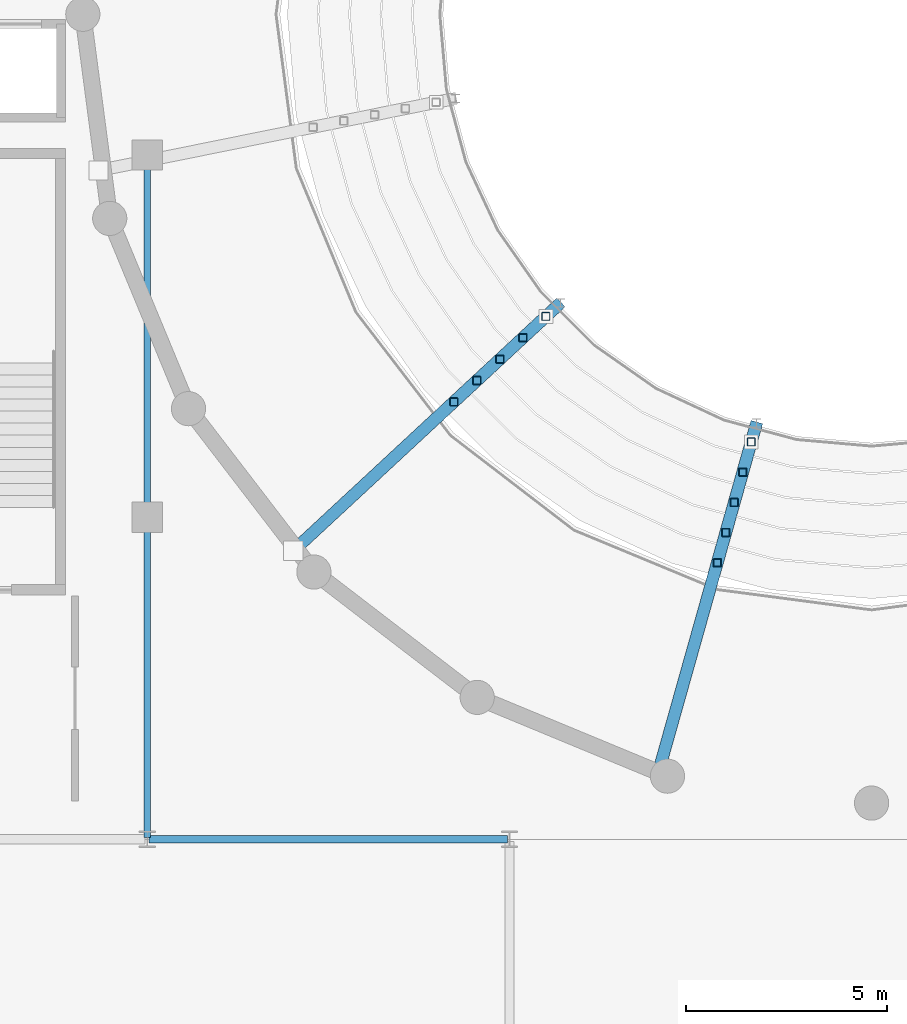
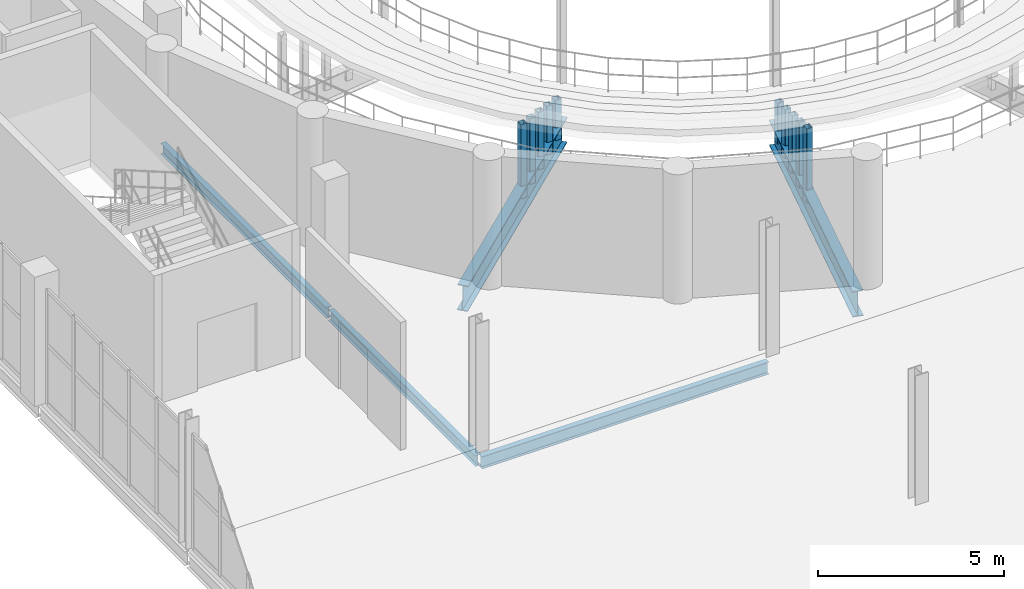
# One storey, part 31 of 85: 10 members, 5 beams.
"""IFC4 building model written with IfcOpenShell, lengths in metres."""

from ifc_helpers import new_model, si_unit, direction, frame, origin, origin_2d, place, context, subcontext, project, spatial, hollow_rectangle, i_section, extrude, material, material_profile, profile_set, type_object, element, save


model = new_model("IFC4")

# Units and contexts
model_context = context("Model", 3, precision=1e-05, world=origin(), true_north=direction((0.0, 1.0)))
body_context = subcontext(model_context, "Body", "Model", "MODEL_VIEW")
ifc_project = project(units=[si_unit("LENGTHUNIT", "METRE"), si_unit("AREAUNIT", "SQUARE_METRE"), si_unit("VOLUMEUNIT", "CUBIC_METRE"), si_unit("PLANEANGLEUNIT", "RADIAN"), si_unit("MASSUNIT", "GRAM", prefix="KILO")], contexts=[model_context])

# Site, building, storey
site_placement = place(None, origin())
site = spatial("IfcSite", under=ifc_project, at=site_placement, CompositionType="ELEMENT")
building_placement = place(site_placement, origin())
building = spatial("IfcBuilding", under=site, at=building_placement, Name="Marnock Terrace Opera House", CompositionType="ELEMENT")
storey_placement = place(building_placement, frame((0.0, 0.0, 10.199951171875)))
storey = spatial("IfcBuildingStorey", under=building, at=storey_placement, Name="L02", CompositionType="ELEMENT", Elevation=10.199951171875)

# Beams
ifc_material_1 = material(Name="Steel Grade 350 (AS/NZS 3679.1)", Category="steel")
ifc_material_profile_1 = material_profile(ifc_material_1, i_section(OverallWidth=0.1708984375, OverallDepth=0.355712890625, WebThickness=0.00732421875, FlangeThickness=0.011474609375, FilletRadius=0.011474609375, at=origin_2d()))
ifc_profile_set_1 = profile_set([ifc_material_profile_1], Name="Steel Grade 350 (AS/NZS 3679.1)")
beam_type_1 = type_object("IfcBeamType", Name="BM-GIRD-360", PredefinedType="BEAM", material=ifc_profile_set_1)
beam_1_placement = place(storey_placement, frame((64.0, 40.050048828125, -0.437744140625), z_axis=(0.0, 1.0, 0.0), x_axis=(-1.0, 0.0, 0.0)))
element("IfcBeam", 1, at=beam_1_placement, inside=storey, type_object=beam_type_1, Name="L02 girder (X=64.0, 40.0..48.0)", PredefinedType="BEAM", context=body_context, shape_type="SweptSolid", body=[
    extrude(i_section(OverallWidth=0.1708984375, OverallDepth=0.355712890625, WebThickness=0.00732421875, FlangeThickness=0.011474609375, FilletRadius=0.011474609375, at=origin_2d()), origin(), (0.0, 0.0, 1.0), 7.89990234375),
])
beam_2_placement = place(storey_placement, frame((64.0, 48.050048828125, -0.437744140625), z_axis=(0.0, 1.0, 0.0), x_axis=(-1.0, 0.0, 0.0)))
element("IfcBeam", 2, at=beam_2_placement, inside=storey, type_object=beam_type_1, Name="L02 girder (X=64.0, 48.0..57.0)", PredefinedType="BEAM", context=body_context, shape_type="SweptSolid", body=[
    extrude(i_section(OverallWidth=0.1708984375, OverallDepth=0.355712890625, WebThickness=0.00732421875, FlangeThickness=0.011474609375, FilletRadius=0.011474609375, at=origin_2d()), origin(), (0.0, 0.0, 1.0), 8.89990234375),
])
ifc_material_profile_2 = material_profile(ifc_material_1, i_section(OverallWidth=0.177978515625, OverallDepth=0.402587890625, WebThickness=0.007568359375, FlangeThickness=0.010986328125, FilletRadius=0.011474609375, at=origin_2d()))
ifc_profile_set_2 = profile_set([ifc_material_profile_2], Name="Steel Grade 350 (AS/NZS 3679.1)")
beam_type_2 = type_object("IfcBeamType", Name="BM-GIRD-410", PredefinedType="BEAM", material=ifc_profile_set_2)
beam_3_placement = place(storey_placement, frame((64.050048828125, 40.0, -0.461181640625), z_axis=(1.0, 0.0, 0.0), x_axis=(0.0, 1.0, 0.0)))
element("IfcBeam", 3, at=beam_3_placement, inside=storey, type_object=beam_type_2, Name="L02 girder (64.0..73.0, Y=40.0)", PredefinedType="BEAM", context=body_context, shape_type="SweptSolid", body=[
    extrude(i_section(OverallWidth=0.177978515625, OverallDepth=0.402587890625, WebThickness=0.007568359375, FlangeThickness=0.010986328125, FilletRadius=0.011474609375, at=origin_2d()), origin(), (0.0, 0.0, 1.0), 8.89990234375),
])
ifc_material_2 = material(Name="Steel Grade 350 Welded (AS/NZS 3679.2)", Category="steel")
ifc_material_profile_3 = material_profile(ifc_material_2, i_section(OverallWidth=0.300048828125, OverallDepth=0.81591796875, WebThickness=0.013916015625, FlangeThickness=0.028076171875, at=origin_2d()))
ifc_profile_set_3 = profile_set([ifc_material_profile_3], Name="Steel Grade 350 Welded (AS/NZS 3679.2)")
beam_type_3 = type_object("IfcBeamType", Name="BM-RAKER-800", PredefinedType="BEAM", material=ifc_profile_set_3)
beam_4_placement = place(storey_placement, frame((74.266357421875, 53.32421875, -1.218017578125), z_axis=(-0.73190120059, -0.679083865845, 0.056264871128), x_axis=(0.68016132476, -0.733062461391, 0.0)))
element("IfcBeam", 4, at=beam_4_placement, inside=storey, type_object=beam_type_3, Name="L02 Auditorium raker girder 3", PredefinedType="BEAM", context=body_context, shape_type="SweptSolid", body=[
    extrude(i_section(OverallWidth=0.300048828125, OverallDepth=0.81591796875, WebThickness=0.013916015625, FlangeThickness=0.028076171875, at=origin_2d()), origin(), (0.0, 0.0, 1.0), 9.064453125),
])
beam_5_placement = place(storey_placement, frame((79.142578125, 50.34423828125, -1.218017578125), z_axis=(-0.270420407323, -0.961096752439, 0.056265760049), x_axis=(0.962621711454, -0.270849479668, 0.0)))
element("IfcBeam", 5, at=beam_5_placement, inside=storey, type_object=beam_type_3, Name="L02 Auditorium raker girder 4", PredefinedType="BEAM", context=body_context, shape_type="SweptSolid", body=[
    extrude(i_section(OverallWidth=0.300048828125, OverallDepth=0.81591796875, WebThickness=0.013916015625, FlangeThickness=0.028076171875, at=origin_2d()), origin(), (0.0, 0.0, 1.0), 9.064208984375),
])

# Members
ifc_material_3 = material(Name="Cold-formed Steel Grade C350L0 (AS/NZS 1163)", Category="steel")
ifc_material_profile_4 = material_profile(ifc_material_3, hollow_rectangle(XDim=0.199951171875, YDim=0.199951171875, WallThickness=0.009033203125, InnerFilletRadius=0.009033203125, OuterFilletRadius=0.01806640625, at=origin_2d()))
ifc_profile_set_4 = profile_set([ifc_material_profile_4], Name="Cold-formed Steel Grade C350L0 (AS/NZS 1163)")
member_type = type_object("IfcMemberType", Name="MEM-TRUSS-WEB2", PredefinedType="BRACE", material=ifc_profile_set_4)
member_1_placement = place(storey_placement, frame((73.906982421875, 52.990966796875, -1.1904296875), z_axis=(0.0, 0.0, 1.0), x_axis=(1.0, 0.0, 0.0)))
element("IfcMember", 6, at=member_1_placement, inside=storey, type_object=member_type, Name="L02 Auditorium tier support post 3.1", PredefinedType="BRACE", context=body_context, shape_type="SweptSolid", body=[
    extrude(hollow_rectangle(XDim=0.199951171875, YDim=0.199951171875, WallThickness=0.009033203125, InnerFilletRadius=0.009033203125, OuterFilletRadius=0.01806640625, at=origin_2d()), origin(), (0.0, 0.0, 1.0), 1.325439453125),
])
member_2_placement = place(storey_placement, frame((73.335205078125, 52.46044921875, -1.146240234375), z_axis=(0.0, 0.0, 1.0), x_axis=(1.0, 0.0, 0.0)))
element("IfcMember", 7, at=member_2_placement, inside=storey, type_object=member_type, Name="L02 Auditorium tier support post 3.2", PredefinedType="BRACE", context=body_context, shape_type="SweptSolid", body=[
    extrude(hollow_rectangle(XDim=0.199951171875, YDim=0.199951171875, WallThickness=0.009033203125, InnerFilletRadius=0.009033203125, OuterFilletRadius=0.01806640625, at=origin_2d()), origin(), (0.0, 0.0, 1.0), 1.601318359375),
])
member_3_placement = place(storey_placement, frame((72.763427734375, 51.9296875, -1.1025390625), z_axis=(0.0, 0.0, 1.0), x_axis=(1.0, 0.0, 0.0)))
element("IfcMember", 8, at=member_3_placement, inside=storey, type_object=member_type, Name="L02 Auditorium tier support post 3.3", PredefinedType="BRACE", context=body_context, shape_type="SweptSolid", body=[
    extrude(hollow_rectangle(XDim=0.199951171875, YDim=0.199951171875, WallThickness=0.009033203125, InnerFilletRadius=0.009033203125, OuterFilletRadius=0.01806640625, at=origin_2d()), origin(), (0.0, 0.0, 1.0), 1.877685546875),
])
member_4_placement = place(storey_placement, frame((72.19189453125, 51.3994140625, -1.058349609375), z_axis=(0.0, 0.0, 1.0), x_axis=(1.0, 0.0, 0.0)))
element("IfcMember", 9, at=member_4_placement, inside=storey, type_object=member_type, Name="L02 Auditorium tier support post 3.4", PredefinedType="BRACE", context=body_context, shape_type="SweptSolid", body=[
    extrude(hollow_rectangle(XDim=0.199951171875, YDim=0.199951171875, WallThickness=0.009033203125, InnerFilletRadius=0.009033203125, OuterFilletRadius=0.01806640625, at=origin_2d()), origin(), (0.0, 0.0, 1.0), 2.1533203125),
])
member_5_placement = place(storey_placement, frame((71.6201171875, 50.868896484375, -1.0146484375), z_axis=(0.0, 0.0, 1.0), x_axis=(1.0, 0.0, 0.0)))
element("IfcMember", 10, at=member_5_placement, inside=storey, type_object=member_type, Name="L02 Auditorium tier support post 3.5", PredefinedType="BRACE", context=body_context, shape_type="SweptSolid", body=[
    extrude(hollow_rectangle(XDim=0.199951171875, YDim=0.199951171875, WallThickness=0.009033203125, InnerFilletRadius=0.009033203125, OuterFilletRadius=0.01806640625, at=origin_2d()), origin(), (0.0, 0.0, 1.0), 2.4296875),
])
member_6_placement = place(storey_placement, frame((79.010009765625, 49.87255859375, -1.1904296875), z_axis=(0.0, 0.0, 1.0), x_axis=(1.0, 0.0, 0.0)))
element("IfcMember", 11, at=member_6_placement, inside=storey, type_object=member_type, Name="L02 Auditorium tier support post 4.1", PredefinedType="BRACE", context=body_context, shape_type="SweptSolid", body=[
    extrude(hollow_rectangle(XDim=0.199951171875, YDim=0.199951171875, WallThickness=0.009033203125, InnerFilletRadius=0.009033203125, OuterFilletRadius=0.01806640625, at=origin_2d()), origin(), (0.0, 0.0, 1.0), 1.325439453125),
])
member_7_placement = place(storey_placement, frame((78.798583984375, 49.121826171875, -1.146240234375), z_axis=(0.0, 0.0, 1.0), x_axis=(1.0, 0.0, 0.0)))
element("IfcMember", 12, at=member_7_placement, inside=storey, type_object=member_type, Name="L02 Auditorium tier support post 4.2", PredefinedType="BRACE", context=body_context, shape_type="SweptSolid", body=[
    extrude(hollow_rectangle(XDim=0.199951171875, YDim=0.199951171875, WallThickness=0.009033203125, InnerFilletRadius=0.009033203125, OuterFilletRadius=0.01806640625, at=origin_2d()), origin(), (0.0, 0.0, 1.0), 1.601318359375),
])
member_8_placement = place(storey_placement, frame((78.58740234375, 48.370849609375, -1.1025390625), z_axis=(0.0, 0.0, 1.0), x_axis=(1.0, 0.0, 0.0)))
element("IfcMember", 13, at=member_8_placement, inside=storey, type_object=member_type, Name="L02 Auditorium tier support post 4.3", PredefinedType="BRACE", context=body_context, shape_type="SweptSolid", body=[
    extrude(hollow_rectangle(XDim=0.199951171875, YDim=0.199951171875, WallThickness=0.009033203125, InnerFilletRadius=0.009033203125, OuterFilletRadius=0.01806640625, at=origin_2d()), origin(), (0.0, 0.0, 1.0), 1.877685546875),
])
member_9_placement = place(storey_placement, frame((78.376220703125, 47.6201171875, -1.058349609375), z_axis=(0.0, 0.0, 1.0), x_axis=(1.0, 0.0, 0.0)))
element("IfcMember", 14, at=member_9_placement, inside=storey, type_object=member_type, Name="L02 Auditorium tier support post 4.4", PredefinedType="BRACE", context=body_context, shape_type="SweptSolid", body=[
    extrude(hollow_rectangle(XDim=0.199951171875, YDim=0.199951171875, WallThickness=0.009033203125, InnerFilletRadius=0.009033203125, OuterFilletRadius=0.01806640625, at=origin_2d()), origin(), (0.0, 0.0, 1.0), 2.1533203125),
])
member_10_placement = place(storey_placement, frame((78.164794921875, 46.869140625, -1.0146484375), z_axis=(0.0, 0.0, 1.0), x_axis=(1.0, 0.0, 0.0)))
element("IfcMember", 15, at=member_10_placement, inside=storey, type_object=member_type, Name="L02 Auditorium tier support post 4.5", PredefinedType="BRACE", context=body_context, shape_type="SweptSolid", body=[
    extrude(hollow_rectangle(XDim=0.199951171875, YDim=0.199951171875, WallThickness=0.009033203125, InnerFilletRadius=0.009033203125, OuterFilletRadius=0.01806640625, at=origin_2d()), origin(), (0.0, 0.0, 1.0), 2.4296875),
])

save(model, "model.ifc")
